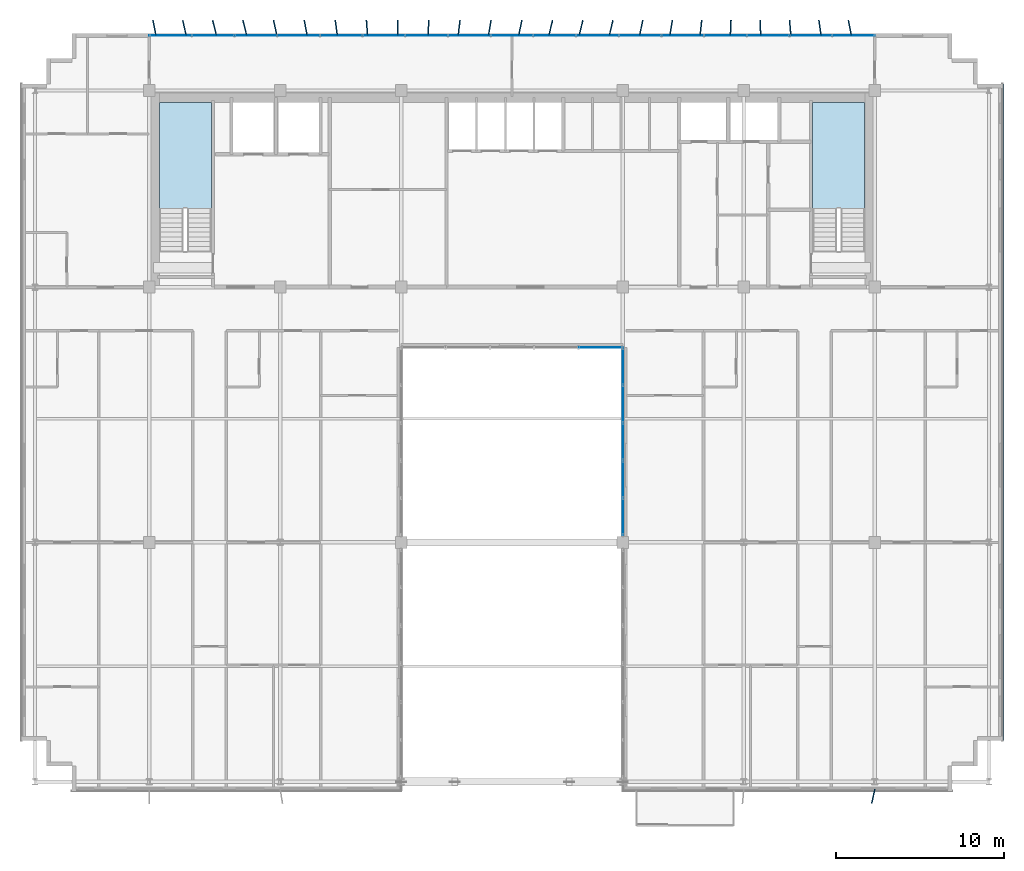
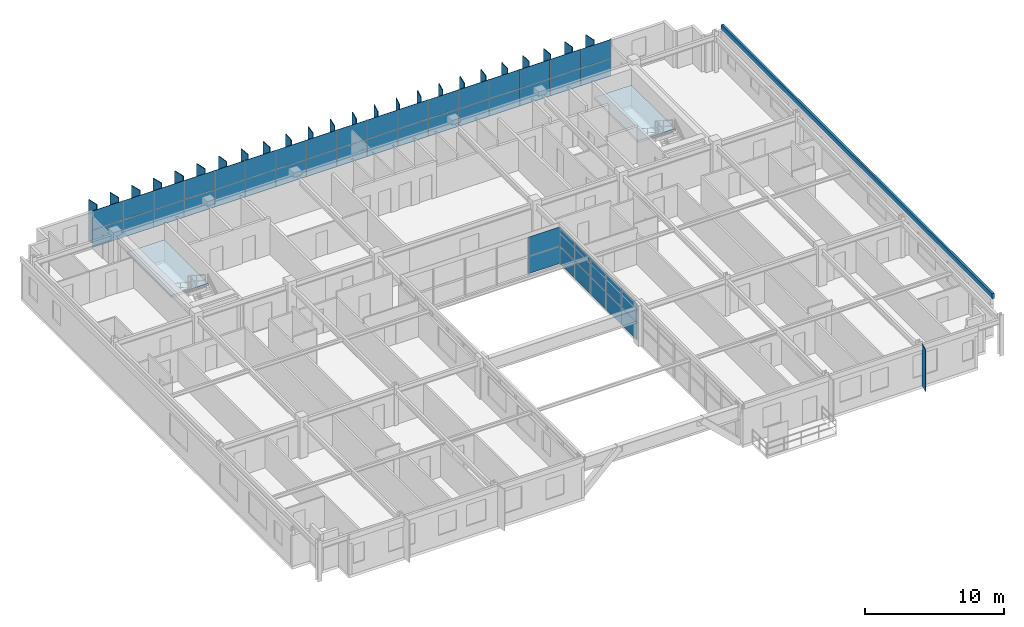
# One storey, part 29 of 37: 72 plates, 2 slabs, 5 elements without a shape of their own.
"""IFC4 building model written with IfcOpenShell, lengths in metres."""

from ifc_helpers import new_model, si_unit, direction, frame, origin, origin_2d, place, context, subcontext, project, spatial, polyline, rectangle, outline, extrude, source, transform, mapped, material, layer, layer_set, type_object, element, aggregate, save


model = new_model("IFC4")

# Units and contexts
model_context = context("Model", 3, precision=1e-05, world=origin(), true_north=direction((0.0, 1.0)))
body_context = subcontext(model_context, "Body", "Model", "MODEL_VIEW")
ifc_project = project(units=[si_unit("LENGTHUNIT", "METRE"), si_unit("AREAUNIT", "SQUARE_METRE"), si_unit("VOLUMEUNIT", "CUBIC_METRE"), si_unit("PLANEANGLEUNIT", "RADIAN"), si_unit("MASSUNIT", "GRAM", prefix="KILO")], contexts=[model_context])

# Site, building, storey
site_placement = place(None, origin())
site = spatial("IfcSite", under=ifc_project, at=site_placement, CompositionType="ELEMENT")
building_placement = place(site_placement, origin())
building = spatial("IfcBuilding", under=site, at=building_placement, Name="Trelvane Seafront Commons", CompositionType="ELEMENT")
storey_placement = place(building_placement, frame((0.0, 0.0, 201.300048828125)))
storey = spatial("IfcBuildingStorey", under=building, at=storey_placement, Name="L52", CompositionType="ELEMENT", Elevation=201.300048828125)

# Stair, slab
ifc_material_1 = material(Name="Concrete C40/50", Category="concrete")
stair_type_1 = type_object("IfcStairType", Name="ARCH-STR-ST-1-R20-180", PredefinedType="HALF_TURN_STAIR", material=ifc_material_1)
stair_1_placement = place(storey_placement, origin())
stair_1 = element("IfcStair", 1, at=stair_1_placement, inside=storey, type_object=stair_type_1, Name="L52 West Protected Firefighting Exit Stair ST-1", PredefinedType="HALF_TURN_STAIR")
ifc_layer_1 = layer(ifc_material_1, 0.199951171875, Name="ARCH-LND-200")
ifc_layer_set_1 = layer_set([ifc_layer_1], Name="Concrete C40/50")
slab_type = type_object("IfcSlabType", Name="ARCH-LND-200", PredefinedType="LANDING", material=ifc_layer_set_1)
slab_1_placement = place(storey_placement, frame((0.0, 0.0, 1.599853515625)))
slab_1 = element("IfcSlab", 2, at=slab_1_placement, type_object=slab_type, Name="ST-1 landing 1", PredefinedType="LANDING", context=body_context, shape_type="SweptSolid", body=[
    extrude(outline(polyline([(19.300048828125, 38.070068359375), (19.300048828125, 44.39990234375), (16.199951171875, 44.39990234375), (16.199951171875, 38.070068359375), (19.300048828125, 38.070068359375)])), origin(), (0.0, 0.0, 1.0), 0.2001953125),
])
aggregate(stair_1, [slab_1])

stair_type_2 = type_object("IfcStairType", Name="ARCH-STR-ST-2-R20-180", PredefinedType="HALF_TURN_STAIR", material=ifc_material_1)
stair_2_placement = place(storey_placement, origin())
stair_2 = element("IfcStair", 3, at=stair_2_placement, inside=storey, type_object=stair_type_2, Name="L52 East Protected Firefighting Exit Stair ST-2", PredefinedType="HALF_TURN_STAIR")
slab_2_placement = place(storey_placement, frame((0.0, 0.0, 1.599853515625)))
slab_2 = element("IfcSlab", 4, at=slab_2_placement, type_object=slab_type, Name="ST-2 landing 1", PredefinedType="LANDING", context=body_context, shape_type="SweptSolid", body=[
    extrude(outline(polyline([(58.199951171875, 38.070068359375), (58.199951171875, 44.39990234375), (55.10009765625, 44.39990234375), (55.10009765625, 38.070068359375), (58.199951171875, 38.070068359375)])), origin(), (0.0, 0.0, 1.0), 0.2001953125),
])
aggregate(stair_2, [slab_2])

# Plates
ifc_material_2 = material(Name="Anodised pale-silver aluminium", Category="aluminium")
ifc_layer_2 = layer(ifc_material_2, 0.06005859375, Name="ARCH-PLATE-FIN900")
ifc_layer_set_2 = layer_set([ifc_layer_2], Name="Anodised pale-silver aluminium")
plate_type_1 = type_object("IfcPlateType", Name="ARCH-PLATE-FIN900", PredefinedType="USERDEFINED", material=ifc_layer_set_2)
shared_shape_1 = source(origin(), body_context, "Body", "SweptSolid", [
    extrude(rectangle(XDim=0.89990234375, YDim=0.06005859375, at=origin_2d()), origin(), (0.0, 0.0, 1.0), 3.639892578125),
])
for number, where, z_axis, x_axis, name in (
    (5, (15.913330078125, 48.841552734375, -0.02001953125), (0.0, 0.0, 1.0), (-0.192439757268, 0.981308789231, 0.0), "FIN-L52-01421"),
    (6, (17.698974609375, 48.83837890625, -0.02001953125), (0.0, 0.0, 1.0), (-0.224770787258, 0.974411665158, 0.0), "FIN-L52-01422"),
    (7, (19.49169921875, 48.8369140625, -0.02001953125), (0.0, 0.0, 1.0), (-0.240548236957, 0.970637185408, 0.0), "FIN-L52-01423"),
    (8, (21.29248046875, 48.8369140625, -0.02001953125), (0.0, 0.0, 1.0), (-0.238769048477, 0.971076382933, 0.0), "FIN-L52-01424"),
    (9, (23.101318359375, 48.839111328125, -0.02001953125), (0.0, 0.0, 1.0), (-0.21956526146, 0.975597814655, 0.0), "FIN-L52-01425"),
    (10, (24.9169921875, 48.84228515625, -0.02001953125), (0.0, 0.0, 1.0), (-0.184220684397, 0.982884906508, 0.0), "FIN-L52-01426"),
    (11, (26.7392578125, 48.845947265625, -0.02001953125), (0.0, 0.0, 1.0), (-0.134994467999, 0.990846352171, 0.0), "FIN-L52-01427"),
    (12, (28.566162109375, 48.8486328125, -0.02001953125), (0.0, 0.0, 1.0), (-0.075446890553, 0.997149821594, 0.0), "FIN-L52-01428"),
    (13, (30.3955078125, 48.85009765625, -0.02001953125), (0.0, 0.0, 1.0), (-0.009998824669, 0.999950010503, 0.0), "FIN-L52-01429"),
    (14, (32.225341796875, 48.849365234375, -0.02001953125), (0.0, 0.0, 1.0), (0.056220557727, 0.998418373674, 0.0), "FIN-L52-01430"),
    (15, (34.052978515625, 48.846923828125, -0.02001953125), (0.0, 0.0, 1.0), (0.118001890605, 0.99301337041, 0.0), "FIN-L52-01431"),
    (16, (35.876708984375, 48.843505859375, -0.02001953125), (0.0, 0.0, 1.0), (0.170773585728, 0.985310297529, 0.0), "FIN-L52-01432"),
    (17, (37.694580078125, 48.83984375, -0.02001953125), (0.0, 0.0, 1.0), (0.21056048311, 0.977580831928, 0.0), "FIN-L52-01433"),
    (18, (39.505615234375, 48.83740234375, -0.02001953125), (0.0, 0.0, 1.0), (0.234789248087, 0.972046299814, 0.0), "FIN-L52-01434"),
    (19, (41.308837890625, 48.836669921875, -0.02001953125), (0.0, 0.0, 1.0), (0.241777946669, 0.970331605434, 0.0), "FIN-L52-01435"),
    (20, (43.10400390625, 48.837890625, -0.02001953125), (0.0, 0.0, 1.0), (0.231330219854, 0.972875289738, 0.0), "FIN-L52-01436"),
    (21, (44.8916015625, 48.840576171875, -0.02001953125), (0.0, 0.0, 1.0), (0.203781867104, 0.979016317862, 0.0), "FIN-L52-01437"),
    (22, (46.672607421875, 48.843994140625, -0.02001953125), (0.0, 0.0, 1.0), (0.161118088091, 0.986935135503, 0.0), "FIN-L52-01438"),
    (23, (48.44775390625, 48.847412109375, -0.02001953125), (0.0, 0.0, 1.0), (0.106222420513, 0.99434239444, 0.0), "FIN-L52-01439"),
    (24, (50.219482421875, 48.849609375, -0.02001953125), (0.0, 0.0, 1.0), (0.043108486935, 0.999070397096, 0.0), "FIN-L52-01440"),
    (25, (51.989501953125, 48.849853515625, -0.02001953125), (0.0, 0.0, 1.0), (-0.023332934405, 0.999727750026, 0.0), "FIN-L52-01441"),
    (26, (53.760498046875, 48.848388671875, -0.02001953125), (0.0, 0.0, 1.0), (-0.088000713537, 0.996120411605, 0.0), "FIN-L52-01442"),
    (27, (55.534423828125, 48.84521484375, -0.02001953125), (0.0, 0.0, 1.0), (-0.14577568566, 0.989317668633, 0.0), "FIN-L52-01443"),
    (28, (57.3134765625, 48.841552734375, -0.02001953125), (0.0, 0.0, 1.0), (-0.192439757268, 0.981308789231, 0.0), "FIN-L52-01444"),
):
    element("IfcPlate", number, at=place(storey_placement, frame(where, z_axis=z_axis, x_axis=x_axis)), inside=storey, type_object=plate_type_1, Name=name, ObjectType="FIN", PredefinedType="USERDEFINED", context=body_context, shape_type="MappedRepresentation", body=[
        mapped(shared_shape_1, transform((0.0, 0.0, 0.0), x_axis=(1.0, 0.0, 0.0), y_axis=(0.0, 1.0, 0.0), z_axis=(0.0, 0.0, 1.0), scale=1.0)),
    ])
shared_shape_2 = source(origin(), body_context, "Body", "SweptSolid", [
    extrude(rectangle(XDim=0.85009765625, YDim=0.06005859375, at=origin_2d()), origin(), (0.0, 0.0, 1.0), 3.639892578125),
])
plate_1_placement = place(storey_placement, frame((58.7080078125, 3.0849609375, -0.02001953125), z_axis=(0.0, 0.0, 1.0), x_axis=(-0.216344191258, -0.976317156927, 0.0)))
element("IfcPlate", 29, at=plate_1_placement, inside=storey, type_object=plate_type_1, Name="FIN-S-L52-01448", ObjectType="FIN", PredefinedType="USERDEFINED", context=body_context, shape_type="MappedRepresentation", body=[
    mapped(shared_shape_2, transform((0.0, 0.0, 0.0), x_axis=(1.0, 0.0, 0.0), y_axis=(0.0, 1.0, 0.0), z_axis=(0.0, 0.0, 1.0), scale=1.0)),
])

# Curtain wall, plates
curtain_wall_type_1 = type_object("IfcCurtainWallType", Name="ARCH-CW5-UPTOWER", PredefinedType="NOTDEFINED", material=ifc_material_2)
curtain_wall_1_placement = place(storey_placement, origin())
curtain_wall_1 = element("IfcCurtainWall", 30, at=curtain_wall_1_placement, inside=storey, type_object=curtain_wall_type_1, Name="CW-L52-0090", PredefinedType="NOTDEFINED")
ifc_material_3 = material(Name="Low-E coastal double glazing", Category="glass")
ifc_layer_3 = layer(ifc_material_3, 0.033935546875, Name="ARCH-CW-GLAZ-34")
ifc_layer_set_3 = layer_set([ifc_layer_3], Name="Low-E coastal double glazing")
plate_type_2 = type_object("IfcPlateType", Name="ARCH-CW-GLAZ-34", PredefinedType="CURTAIN_PANEL", material=ifc_layer_set_3)
shared_shape_3 = source(origin(), body_context, "Body", "SweptSolid", [
    extrude(rectangle(XDim=2.51708984375, YDim=0.033935546875, at=origin_2d()), origin(), (0.0, 0.0, 1.0), 1.528076171875),
])
plate_2_placement = place(storey_placement, frame((16.87060546875, 48.3701171875, 0.0), z_axis=(0.0, 0.0, 1.0), x_axis=(1.0, 0.0, 0.0)))
plate_2 = element("IfcPlate", 31, at=plate_2_placement, type_object=plate_type_2, Name="CW-L52-0090-P00-1", PredefinedType="CURTAIN_PANEL", context=body_context, shape_type="MappedRepresentation", body=[
    mapped(shared_shape_3, transform((0.0, 0.0, 0.0), x_axis=(1.0, 0.0, 0.0), y_axis=(0.0, 1.0, 0.0), z_axis=(0.0, 0.0, 1.0), scale=1.0)),
])
plate_3_placement = place(storey_placement, frame((19.411865234375, 48.3701171875, 0.0), z_axis=(0.0, 0.0, 1.0), x_axis=(1.0, 0.0, 0.0)))
plate_3 = element("IfcPlate", 32, at=plate_3_placement, type_object=plate_type_2, Name="CW-L52-0090-P01-1", PredefinedType="CURTAIN_PANEL", context=body_context, shape_type="MappedRepresentation", body=[
    mapped(shared_shape_3, transform((0.0, 0.0, 0.0), x_axis=(1.0, 0.0, 0.0), y_axis=(0.0, 1.0, 0.0), z_axis=(0.0, 0.0, 1.0), scale=1.0)),
])
plate_4_placement = place(storey_placement, frame((21.952880859375, 48.3701171875, 0.0), z_axis=(0.0, 0.0, 1.0), x_axis=(1.0, 0.0, 0.0)))
plate_4 = element("IfcPlate", 33, at=plate_4_placement, type_object=plate_type_2, Name="CW-L52-0090-P02-1", PredefinedType="CURTAIN_PANEL", context=body_context, shape_type="MappedRepresentation", body=[
    mapped(shared_shape_3, transform((0.0, 0.0, 0.0), x_axis=(1.0, 0.0, 0.0), y_axis=(0.0, 1.0, 0.0), z_axis=(0.0, 0.0, 1.0), scale=1.0)),
])
plate_5_placement = place(storey_placement, frame((24.494140625, 48.3701171875, 0.0), z_axis=(0.0, 0.0, 1.0), x_axis=(1.0, 0.0, 0.0)))
plate_5 = element("IfcPlate", 34, at=plate_5_placement, type_object=plate_type_2, Name="CW-L52-0090-P03-1", PredefinedType="CURTAIN_PANEL", context=body_context, shape_type="MappedRepresentation", body=[
    mapped(shared_shape_3, transform((0.0, 0.0, 0.0), x_axis=(1.0, 0.0, 0.0), y_axis=(0.0, 1.0, 0.0), z_axis=(0.0, 0.0, 1.0), scale=1.0)),
])
plate_6_placement = place(storey_placement, frame((27.035400390625, 48.3701171875, 0.0), z_axis=(0.0, 0.0, 1.0), x_axis=(1.0, 0.0, 0.0)))
plate_6 = element("IfcPlate", 35, at=plate_6_placement, type_object=plate_type_2, Name="CW-L52-0090-P04-1", PredefinedType="CURTAIN_PANEL", context=body_context, shape_type="MappedRepresentation", body=[
    mapped(shared_shape_3, transform((0.0, 0.0, 0.0), x_axis=(1.0, 0.0, 0.0), y_axis=(0.0, 1.0, 0.0), z_axis=(0.0, 0.0, 1.0), scale=1.0)),
])
plate_7_placement = place(storey_placement, frame((29.576416015625, 48.3701171875, 0.0), z_axis=(0.0, 0.0, 1.0), x_axis=(1.0, 0.0, 0.0)))
plate_7 = element("IfcPlate", 36, at=plate_7_placement, type_object=plate_type_2, Name="CW-L52-0090-P05-1", PredefinedType="CURTAIN_PANEL", context=body_context, shape_type="MappedRepresentation", body=[
    mapped(shared_shape_3, transform((0.0, 0.0, 0.0), x_axis=(1.0, 0.0, 0.0), y_axis=(0.0, 1.0, 0.0), z_axis=(0.0, 0.0, 1.0), scale=1.0)),
])
plate_8_placement = place(storey_placement, frame((32.11767578125, 48.3701171875, 0.0), z_axis=(0.0, 0.0, 1.0), x_axis=(1.0, 0.0, 0.0)))
plate_8 = element("IfcPlate", 37, at=plate_8_placement, type_object=plate_type_2, Name="CW-L52-0090-P06-1", PredefinedType="CURTAIN_PANEL", context=body_context, shape_type="MappedRepresentation", body=[
    mapped(shared_shape_3, transform((0.0, 0.0, 0.0), x_axis=(1.0, 0.0, 0.0), y_axis=(0.0, 1.0, 0.0), z_axis=(0.0, 0.0, 1.0), scale=1.0)),
])
plate_9_placement = place(storey_placement, frame((34.65869140625, 48.3701171875, 0.0), z_axis=(0.0, 0.0, 1.0), x_axis=(1.0, 0.0, 0.0)))
plate_9 = element("IfcPlate", 38, at=plate_9_placement, type_object=plate_type_2, Name="CW-L52-0090-P07-1", PredefinedType="CURTAIN_PANEL", context=body_context, shape_type="MappedRepresentation", body=[
    mapped(shared_shape_3, transform((0.0, 0.0, 0.0), x_axis=(1.0, 0.0, 0.0), y_axis=(0.0, 1.0, 0.0), z_axis=(0.0, 0.0, 1.0), scale=1.0)),
])
plate_10_placement = place(storey_placement, frame((37.199951171875, 48.3701171875, 0.0), z_axis=(0.0, 0.0, 1.0), x_axis=(1.0, 0.0, 0.0)))
plate_10 = element("IfcPlate", 39, at=plate_10_placement, type_object=plate_type_2, Name="CW-L52-0090-P08-1", PredefinedType="CURTAIN_PANEL", context=body_context, shape_type="MappedRepresentation", body=[
    mapped(shared_shape_3, transform((0.0, 0.0, 0.0), x_axis=(1.0, 0.0, 0.0), y_axis=(0.0, 1.0, 0.0), z_axis=(0.0, 0.0, 1.0), scale=1.0)),
])
plate_11_placement = place(storey_placement, frame((39.7412109375, 48.3701171875, 0.0), z_axis=(0.0, 0.0, 1.0), x_axis=(1.0, 0.0, 0.0)))
plate_11 = element("IfcPlate", 40, at=plate_11_placement, type_object=plate_type_2, Name="CW-L52-0090-P09-1", PredefinedType="CURTAIN_PANEL", context=body_context, shape_type="MappedRepresentation", body=[
    mapped(shared_shape_3, transform((0.0, 0.0, 0.0), x_axis=(1.0, 0.0, 0.0), y_axis=(0.0, 1.0, 0.0), z_axis=(0.0, 0.0, 1.0), scale=1.0)),
])
plate_12_placement = place(storey_placement, frame((42.282470703125, 48.3701171875, 0.0), z_axis=(0.0, 0.0, 1.0), x_axis=(1.0, 0.0, 0.0)))
plate_12 = element("IfcPlate", 41, at=plate_12_placement, type_object=plate_type_2, Name="CW-L52-0090-P10-1", PredefinedType="CURTAIN_PANEL", context=body_context, shape_type="MappedRepresentation", body=[
    mapped(shared_shape_3, transform((0.0, 0.0, 0.0), x_axis=(1.0, 0.0, 0.0), y_axis=(0.0, 1.0, 0.0), z_axis=(0.0, 0.0, 1.0), scale=1.0)),
])
plate_13_placement = place(storey_placement, frame((44.823486328125, 48.3701171875, 0.0), z_axis=(0.0, 0.0, 1.0), x_axis=(1.0, 0.0, 0.0)))
plate_13 = element("IfcPlate", 42, at=plate_13_placement, type_object=plate_type_2, Name="CW-L52-0090-P11-1", PredefinedType="CURTAIN_PANEL", context=body_context, shape_type="MappedRepresentation", body=[
    mapped(shared_shape_3, transform((0.0, 0.0, 0.0), x_axis=(1.0, 0.0, 0.0), y_axis=(0.0, 1.0, 0.0), z_axis=(0.0, 0.0, 1.0), scale=1.0)),
])
plate_14_placement = place(storey_placement, frame((47.36474609375, 48.3701171875, 0.0), z_axis=(0.0, 0.0, 1.0), x_axis=(1.0, 0.0, 0.0)))
plate_14 = element("IfcPlate", 43, at=plate_14_placement, type_object=plate_type_2, Name="CW-L52-0090-P12-1", PredefinedType="CURTAIN_PANEL", context=body_context, shape_type="MappedRepresentation", body=[
    mapped(shared_shape_3, transform((0.0, 0.0, 0.0), x_axis=(1.0, 0.0, 0.0), y_axis=(0.0, 1.0, 0.0), z_axis=(0.0, 0.0, 1.0), scale=1.0)),
])
plate_15_placement = place(storey_placement, frame((49.906005859375, 48.3701171875, 0.0), z_axis=(0.0, 0.0, 1.0), x_axis=(1.0, 0.0, 0.0)))
plate_15 = element("IfcPlate", 44, at=plate_15_placement, type_object=plate_type_2, Name="CW-L52-0090-P13-1", PredefinedType="CURTAIN_PANEL", context=body_context, shape_type="MappedRepresentation", body=[
    mapped(shared_shape_3, transform((0.0, 0.0, 0.0), x_axis=(1.0, 0.0, 0.0), y_axis=(0.0, 1.0, 0.0), z_axis=(0.0, 0.0, 1.0), scale=1.0)),
])
plate_16_placement = place(storey_placement, frame((52.447021484375, 48.3701171875, 0.0), z_axis=(0.0, 0.0, 1.0), x_axis=(1.0, 0.0, 0.0)))
plate_16 = element("IfcPlate", 45, at=plate_16_placement, type_object=plate_type_2, Name="CW-L52-0090-P14-1", PredefinedType="CURTAIN_PANEL", context=body_context, shape_type="MappedRepresentation", body=[
    mapped(shared_shape_3, transform((0.0, 0.0, 0.0), x_axis=(1.0, 0.0, 0.0), y_axis=(0.0, 1.0, 0.0), z_axis=(0.0, 0.0, 1.0), scale=1.0)),
])
plate_17_placement = place(storey_placement, frame((54.98828125, 48.3701171875, 0.0), z_axis=(0.0, 0.0, 1.0), x_axis=(1.0, 0.0, 0.0)))
plate_17 = element("IfcPlate", 46, at=plate_17_placement, type_object=plate_type_2, Name="CW-L52-0090-P15-1", PredefinedType="CURTAIN_PANEL", context=body_context, shape_type="MappedRepresentation", body=[
    mapped(shared_shape_3, transform((0.0, 0.0, 0.0), x_axis=(1.0, 0.0, 0.0), y_axis=(0.0, 1.0, 0.0), z_axis=(0.0, 0.0, 1.0), scale=1.0)),
])
plate_18_placement = place(storey_placement, frame((57.529296875, 48.3701171875, 0.0), z_axis=(0.0, 0.0, 1.0), x_axis=(1.0, 0.0, 0.0)))
plate_18 = element("IfcPlate", 47, at=plate_18_placement, type_object=plate_type_2, Name="CW-L52-0090-P16-1", PredefinedType="CURTAIN_PANEL", context=body_context, shape_type="MappedRepresentation", body=[
    mapped(shared_shape_3, transform((0.0, 0.0, 0.0), x_axis=(1.0, 0.0, 0.0), y_axis=(0.0, 1.0, 0.0), z_axis=(0.0, 0.0, 1.0), scale=1.0)),
])
shared_shape_4 = source(origin(), body_context, "Body", "SweptSolid", [
    extrude(rectangle(XDim=2.51708984375, YDim=0.033935546875, at=origin_2d()), origin(), (0.0, 0.0, 1.0), 1.656005859375),
])
plate_19_placement = place(storey_placement, frame((16.87060546875, 48.3701171875, 1.56396484375), z_axis=(0.0, 0.0, 1.0), x_axis=(1.0, 0.0, 0.0)))
plate_19 = element("IfcPlate", 48, at=plate_19_placement, type_object=plate_type_2, Name="CW-L52-0090-P00-2", PredefinedType="CURTAIN_PANEL", context=body_context, shape_type="MappedRepresentation", body=[
    mapped(shared_shape_4, transform((0.0, 0.0, 0.0), x_axis=(1.0, 0.0, 0.0), y_axis=(0.0, 1.0, 0.0), z_axis=(0.0, 0.0, 1.0), scale=1.0)),
])
plate_20_placement = place(storey_placement, frame((19.411865234375, 48.3701171875, 1.56396484375), z_axis=(0.0, 0.0, 1.0), x_axis=(1.0, 0.0, 0.0)))
plate_20 = element("IfcPlate", 49, at=plate_20_placement, type_object=plate_type_2, Name="CW-L52-0090-P01-2", PredefinedType="CURTAIN_PANEL", context=body_context, shape_type="MappedRepresentation", body=[
    mapped(shared_shape_4, transform((0.0, 0.0, 0.0), x_axis=(1.0, 0.0, 0.0), y_axis=(0.0, 1.0, 0.0), z_axis=(0.0, 0.0, 1.0), scale=1.0)),
])
plate_21_placement = place(storey_placement, frame((21.952880859375, 48.3701171875, 1.56396484375), z_axis=(0.0, 0.0, 1.0), x_axis=(1.0, 0.0, 0.0)))
plate_21 = element("IfcPlate", 50, at=plate_21_placement, type_object=plate_type_2, Name="CW-L52-0090-P02-2", PredefinedType="CURTAIN_PANEL", context=body_context, shape_type="MappedRepresentation", body=[
    mapped(shared_shape_4, transform((0.0, 0.0, 0.0), x_axis=(1.0, 0.0, 0.0), y_axis=(0.0, 1.0, 0.0), z_axis=(0.0, 0.0, 1.0), scale=1.0)),
])
plate_22_placement = place(storey_placement, frame((24.494140625, 48.3701171875, 1.56396484375), z_axis=(0.0, 0.0, 1.0), x_axis=(1.0, 0.0, 0.0)))
plate_22 = element("IfcPlate", 51, at=plate_22_placement, type_object=plate_type_2, Name="CW-L52-0090-P03-2", PredefinedType="CURTAIN_PANEL", context=body_context, shape_type="MappedRepresentation", body=[
    mapped(shared_shape_4, transform((0.0, 0.0, 0.0), x_axis=(1.0, 0.0, 0.0), y_axis=(0.0, 1.0, 0.0), z_axis=(0.0, 0.0, 1.0), scale=1.0)),
])
plate_23_placement = place(storey_placement, frame((27.035400390625, 48.3701171875, 1.56396484375), z_axis=(0.0, 0.0, 1.0), x_axis=(1.0, 0.0, 0.0)))
plate_23 = element("IfcPlate", 52, at=plate_23_placement, type_object=plate_type_2, Name="CW-L52-0090-P04-2", PredefinedType="CURTAIN_PANEL", context=body_context, shape_type="MappedRepresentation", body=[
    mapped(shared_shape_4, transform((0.0, 0.0, 0.0), x_axis=(1.0, 0.0, 0.0), y_axis=(0.0, 1.0, 0.0), z_axis=(0.0, 0.0, 1.0), scale=1.0)),
])
plate_24_placement = place(storey_placement, frame((29.576416015625, 48.3701171875, 1.56396484375), z_axis=(0.0, 0.0, 1.0), x_axis=(1.0, 0.0, 0.0)))
plate_24 = element("IfcPlate", 53, at=plate_24_placement, type_object=plate_type_2, Name="CW-L52-0090-P05-2", PredefinedType="CURTAIN_PANEL", context=body_context, shape_type="MappedRepresentation", body=[
    mapped(shared_shape_4, transform((0.0, 0.0, 0.0), x_axis=(1.0, 0.0, 0.0), y_axis=(0.0, 1.0, 0.0), z_axis=(0.0, 0.0, 1.0), scale=1.0)),
])
plate_25_placement = place(storey_placement, frame((32.11767578125, 48.3701171875, 1.56396484375), z_axis=(0.0, 0.0, 1.0), x_axis=(1.0, 0.0, 0.0)))
plate_25 = element("IfcPlate", 54, at=plate_25_placement, type_object=plate_type_2, Name="CW-L52-0090-P06-2", PredefinedType="CURTAIN_PANEL", context=body_context, shape_type="MappedRepresentation", body=[
    mapped(shared_shape_4, transform((0.0, 0.0, 0.0), x_axis=(1.0, 0.0, 0.0), y_axis=(0.0, 1.0, 0.0), z_axis=(0.0, 0.0, 1.0), scale=1.0)),
])
plate_26_placement = place(storey_placement, frame((34.65869140625, 48.3701171875, 1.56396484375), z_axis=(0.0, 0.0, 1.0), x_axis=(1.0, 0.0, 0.0)))
plate_26 = element("IfcPlate", 55, at=plate_26_placement, type_object=plate_type_2, Name="CW-L52-0090-P07-2", PredefinedType="CURTAIN_PANEL", context=body_context, shape_type="MappedRepresentation", body=[
    mapped(shared_shape_4, transform((0.0, 0.0, 0.0), x_axis=(1.0, 0.0, 0.0), y_axis=(0.0, 1.0, 0.0), z_axis=(0.0, 0.0, 1.0), scale=1.0)),
])
plate_27_placement = place(storey_placement, frame((37.199951171875, 48.3701171875, 1.56396484375), z_axis=(0.0, 0.0, 1.0), x_axis=(1.0, 0.0, 0.0)))
plate_27 = element("IfcPlate", 56, at=plate_27_placement, type_object=plate_type_2, Name="CW-L52-0090-P08-2", PredefinedType="CURTAIN_PANEL", context=body_context, shape_type="MappedRepresentation", body=[
    mapped(shared_shape_4, transform((0.0, 0.0, 0.0), x_axis=(1.0, 0.0, 0.0), y_axis=(0.0, 1.0, 0.0), z_axis=(0.0, 0.0, 1.0), scale=1.0)),
])
plate_28_placement = place(storey_placement, frame((39.7412109375, 48.3701171875, 1.56396484375), z_axis=(0.0, 0.0, 1.0), x_axis=(1.0, 0.0, 0.0)))
plate_28 = element("IfcPlate", 57, at=plate_28_placement, type_object=plate_type_2, Name="CW-L52-0090-P09-2", PredefinedType="CURTAIN_PANEL", context=body_context, shape_type="MappedRepresentation", body=[
    mapped(shared_shape_4, transform((0.0, 0.0, 0.0), x_axis=(1.0, 0.0, 0.0), y_axis=(0.0, 1.0, 0.0), z_axis=(0.0, 0.0, 1.0), scale=1.0)),
])
plate_29_placement = place(storey_placement, frame((42.282470703125, 48.3701171875, 1.56396484375), z_axis=(0.0, 0.0, 1.0), x_axis=(1.0, 0.0, 0.0)))
plate_29 = element("IfcPlate", 58, at=plate_29_placement, type_object=plate_type_2, Name="CW-L52-0090-P10-2", PredefinedType="CURTAIN_PANEL", context=body_context, shape_type="MappedRepresentation", body=[
    mapped(shared_shape_4, transform((0.0, 0.0, 0.0), x_axis=(1.0, 0.0, 0.0), y_axis=(0.0, 1.0, 0.0), z_axis=(0.0, 0.0, 1.0), scale=1.0)),
])
plate_30_placement = place(storey_placement, frame((44.823486328125, 48.3701171875, 1.56396484375), z_axis=(0.0, 0.0, 1.0), x_axis=(1.0, 0.0, 0.0)))
plate_30 = element("IfcPlate", 59, at=plate_30_placement, type_object=plate_type_2, Name="CW-L52-0090-P11-2", PredefinedType="CURTAIN_PANEL", context=body_context, shape_type="MappedRepresentation", body=[
    mapped(shared_shape_4, transform((0.0, 0.0, 0.0), x_axis=(1.0, 0.0, 0.0), y_axis=(0.0, 1.0, 0.0), z_axis=(0.0, 0.0, 1.0), scale=1.0)),
])
plate_31_placement = place(storey_placement, frame((47.36474609375, 48.3701171875, 1.56396484375), z_axis=(0.0, 0.0, 1.0), x_axis=(1.0, 0.0, 0.0)))
plate_31 = element("IfcPlate", 60, at=plate_31_placement, type_object=plate_type_2, Name="CW-L52-0090-P12-2", PredefinedType="CURTAIN_PANEL", context=body_context, shape_type="MappedRepresentation", body=[
    mapped(shared_shape_4, transform((0.0, 0.0, 0.0), x_axis=(1.0, 0.0, 0.0), y_axis=(0.0, 1.0, 0.0), z_axis=(0.0, 0.0, 1.0), scale=1.0)),
])
plate_32_placement = place(storey_placement, frame((49.906005859375, 48.3701171875, 1.56396484375), z_axis=(0.0, 0.0, 1.0), x_axis=(1.0, 0.0, 0.0)))
plate_32 = element("IfcPlate", 61, at=plate_32_placement, type_object=plate_type_2, Name="CW-L52-0090-P13-2", PredefinedType="CURTAIN_PANEL", context=body_context, shape_type="MappedRepresentation", body=[
    mapped(shared_shape_4, transform((0.0, 0.0, 0.0), x_axis=(1.0, 0.0, 0.0), y_axis=(0.0, 1.0, 0.0), z_axis=(0.0, 0.0, 1.0), scale=1.0)),
])
plate_33_placement = place(storey_placement, frame((52.447021484375, 48.3701171875, 1.56396484375), z_axis=(0.0, 0.0, 1.0), x_axis=(1.0, 0.0, 0.0)))
plate_33 = element("IfcPlate", 62, at=plate_33_placement, type_object=plate_type_2, Name="CW-L52-0090-P14-2", PredefinedType="CURTAIN_PANEL", context=body_context, shape_type="MappedRepresentation", body=[
    mapped(shared_shape_4, transform((0.0, 0.0, 0.0), x_axis=(1.0, 0.0, 0.0), y_axis=(0.0, 1.0, 0.0), z_axis=(0.0, 0.0, 1.0), scale=1.0)),
])
plate_34_placement = place(storey_placement, frame((54.98828125, 48.3701171875, 1.56396484375), z_axis=(0.0, 0.0, 1.0), x_axis=(1.0, 0.0, 0.0)))
plate_34 = element("IfcPlate", 63, at=plate_34_placement, type_object=plate_type_2, Name="CW-L52-0090-P15-2", PredefinedType="CURTAIN_PANEL", context=body_context, shape_type="MappedRepresentation", body=[
    mapped(shared_shape_4, transform((0.0, 0.0, 0.0), x_axis=(1.0, 0.0, 0.0), y_axis=(0.0, 1.0, 0.0), z_axis=(0.0, 0.0, 1.0), scale=1.0)),
])
plate_35_placement = place(storey_placement, frame((57.529296875, 48.3701171875, 1.56396484375), z_axis=(0.0, 0.0, 1.0), x_axis=(1.0, 0.0, 0.0)))
plate_35 = element("IfcPlate", 64, at=plate_35_placement, type_object=plate_type_2, Name="CW-L52-0090-P16-2", PredefinedType="CURTAIN_PANEL", context=body_context, shape_type="MappedRepresentation", body=[
    mapped(shared_shape_4, transform((0.0, 0.0, 0.0), x_axis=(1.0, 0.0, 0.0), y_axis=(0.0, 1.0, 0.0), z_axis=(0.0, 0.0, 1.0), scale=1.0)),
])
aggregate(curtain_wall_1, [plate_2, plate_19, plate_3, plate_20, plate_4, plate_21, plate_5, plate_22, plate_6, plate_23, plate_7, plate_24, plate_8, plate_25, plate_9, plate_26, plate_10, plate_27, plate_11, plate_28, plate_12, plate_29, plate_13, plate_30, plate_14, plate_31, plate_15, plate_32, plate_16, plate_33, plate_17, plate_34, plate_18, plate_35])

# Plate
ifc_layer_4 = layer(ifc_material_2, 0.179931640625, Name="ARCH-PLATE-AERO")
ifc_layer_set_4 = layer_set([ifc_layer_4], Name="Anodised pale-silver aluminium")
plate_type_3 = type_object("IfcPlateType", Name="ARCH-PLATE-AERO", PredefinedType="SHEET", material=ifc_layer_set_4)
shared_shape_5 = source(origin(), body_context, "Body", "SweptSolid", [
    extrude(rectangle(XDim=39.10009765625, YDim=0.179931640625, at=origin_2d()), origin(), (0.0, 0.0, 1.0), 0.4599609375),
])
plate_36_placement = place(storey_placement, frame((66.39990234375, 25.949951171875, 3.159912109375), z_axis=(0.0, 0.0, 1.0), x_axis=(0.0, -1.0, 0.0)))
element("IfcPlate", 65, at=plate_36_placement, inside=storey, type_object=plate_type_3, Name="AER-L52-00182", PredefinedType="SHEET", context=body_context, shape_type="MappedRepresentation", body=[
    mapped(shared_shape_5, transform((0.0, 0.0, 0.0), x_axis=(1.0, 0.0, 0.0), y_axis=(0.0, 1.0, 0.0), z_axis=(0.0, 0.0, 1.0), scale=1.0)),
])

# Curtain wall, plates
curtain_wall_type_2 = type_object("IfcCurtainWallType", Name="ARCH-CW3-PORTAL", PredefinedType="NOTDEFINED", material=ifc_material_2)
curtain_wall_2_placement = place(storey_placement, origin())
curtain_wall_2 = element("IfcCurtainWall", 66, at=curtain_wall_2_placement, inside=storey, type_object=curtain_wall_type_2, Name="CW-L52-VP-0094", PredefinedType="NOTDEFINED")
shared_shape_6 = source(origin(), body_context, "Body", "SweptSolid", [
    extrude(rectangle(XDim=2.216064453125, YDim=0.0380859375, at=origin_2d()), origin(), (0.0, 0.0, 1.0), 1.528076171875),
])
plate_37_placement = place(storey_placement, frame((43.800048828125, 28.679931640625, 0.0), z_axis=(0.0, 0.0, 1.0), x_axis=(0.0, -1.0, 0.0)))
plate_37 = element("IfcPlate", 67, at=plate_37_placement, type_object=plate_type_2, Name="CW-L52-VP-0094-P00-1", PredefinedType="CURTAIN_PANEL", context=body_context, shape_type="MappedRepresentation", body=[
    mapped(shared_shape_6, transform((0.0, 0.0, 0.0), x_axis=(1.0, 0.0, 0.0), y_axis=(0.0, 1.0, 0.0), z_axis=(0.0, 0.0, 1.0), scale=1.0)),
])
plate_38_placement = place(storey_placement, frame((43.800048828125, 26.43994140625, 0.0), z_axis=(0.0, 0.0, 1.0), x_axis=(0.0, -1.0, 0.0)))
plate_38 = element("IfcPlate", 68, at=plate_38_placement, type_object=plate_type_2, Name="CW-L52-VP-0094-P01-1", PredefinedType="CURTAIN_PANEL", context=body_context, shape_type="MappedRepresentation", body=[
    mapped(shared_shape_6, transform((0.0, 0.0, 0.0), x_axis=(1.0, 0.0, 0.0), y_axis=(0.0, 1.0, 0.0), z_axis=(0.0, 0.0, 1.0), scale=1.0)),
])
plate_39_placement = place(storey_placement, frame((43.800048828125, 24.199951171875, 0.0), z_axis=(0.0, 0.0, 1.0), x_axis=(0.0, -1.0, 0.0)))
plate_39 = element("IfcPlate", 69, at=plate_39_placement, type_object=plate_type_2, Name="CW-L52-VP-0094-P02-1", PredefinedType="CURTAIN_PANEL", context=body_context, shape_type="MappedRepresentation", body=[
    mapped(shared_shape_6, transform((0.0, 0.0, 0.0), x_axis=(1.0, 0.0, 0.0), y_axis=(0.0, 1.0, 0.0), z_axis=(0.0, 0.0, 1.0), scale=1.0)),
])
plate_40_placement = place(storey_placement, frame((43.800048828125, 21.9599609375, 0.0), z_axis=(0.0, 0.0, 1.0), x_axis=(0.0, -1.0, 0.0)))
plate_40 = element("IfcPlate", 70, at=plate_40_placement, type_object=plate_type_2, Name="CW-L52-VP-0094-P03-1", PredefinedType="CURTAIN_PANEL", context=body_context, shape_type="MappedRepresentation", body=[
    mapped(shared_shape_6, transform((0.0, 0.0, 0.0), x_axis=(1.0, 0.0, 0.0), y_axis=(0.0, 1.0, 0.0), z_axis=(0.0, 0.0, 1.0), scale=1.0)),
])
plate_41_placement = place(storey_placement, frame((43.800048828125, 19.719970703125, 0.0), z_axis=(0.0, 0.0, 1.0), x_axis=(0.0, -1.0, 0.0)))
plate_41 = element("IfcPlate", 71, at=plate_41_placement, type_object=plate_type_2, Name="CW-L52-VP-0094-P04-1", PredefinedType="CURTAIN_PANEL", context=body_context, shape_type="MappedRepresentation", body=[
    mapped(shared_shape_6, transform((0.0, 0.0, 0.0), x_axis=(1.0, 0.0, 0.0), y_axis=(0.0, 1.0, 0.0), z_axis=(0.0, 0.0, 1.0), scale=1.0)),
])
shared_shape_7 = source(origin(), body_context, "Body", "SweptSolid", [
    extrude(rectangle(XDim=2.216064453125, YDim=0.0380859375, at=origin_2d()), origin(), (0.0, 0.0, 1.0), 1.656005859375),
])
plate_42_placement = place(storey_placement, frame((43.800048828125, 28.679931640625, 1.56396484375), z_axis=(0.0, 0.0, 1.0), x_axis=(0.0, -1.0, 0.0)))
plate_42 = element("IfcPlate", 72, at=plate_42_placement, type_object=plate_type_2, Name="CW-L52-VP-0094-P00-2", PredefinedType="CURTAIN_PANEL", context=body_context, shape_type="MappedRepresentation", body=[
    mapped(shared_shape_7, transform((0.0, 0.0, 0.0), x_axis=(1.0, 0.0, 0.0), y_axis=(0.0, 1.0, 0.0), z_axis=(0.0, 0.0, 1.0), scale=1.0)),
])
plate_43_placement = place(storey_placement, frame((43.800048828125, 26.43994140625, 1.56396484375), z_axis=(0.0, 0.0, 1.0), x_axis=(0.0, -1.0, 0.0)))
plate_43 = element("IfcPlate", 73, at=plate_43_placement, type_object=plate_type_2, Name="CW-L52-VP-0094-P01-2", PredefinedType="CURTAIN_PANEL", context=body_context, shape_type="MappedRepresentation", body=[
    mapped(shared_shape_7, transform((0.0, 0.0, 0.0), x_axis=(1.0, 0.0, 0.0), y_axis=(0.0, 1.0, 0.0), z_axis=(0.0, 0.0, 1.0), scale=1.0)),
])
plate_44_placement = place(storey_placement, frame((43.800048828125, 24.199951171875, 1.56396484375), z_axis=(0.0, 0.0, 1.0), x_axis=(0.0, -1.0, 0.0)))
plate_44 = element("IfcPlate", 74, at=plate_44_placement, type_object=plate_type_2, Name="CW-L52-VP-0094-P02-2", PredefinedType="CURTAIN_PANEL", context=body_context, shape_type="MappedRepresentation", body=[
    mapped(shared_shape_7, transform((0.0, 0.0, 0.0), x_axis=(1.0, 0.0, 0.0), y_axis=(0.0, 1.0, 0.0), z_axis=(0.0, 0.0, 1.0), scale=1.0)),
])
plate_45_placement = place(storey_placement, frame((43.800048828125, 21.9599609375, 1.56396484375), z_axis=(0.0, 0.0, 1.0), x_axis=(0.0, -1.0, 0.0)))
plate_45 = element("IfcPlate", 75, at=plate_45_placement, type_object=plate_type_2, Name="CW-L52-VP-0094-P03-2", PredefinedType="CURTAIN_PANEL", context=body_context, shape_type="MappedRepresentation", body=[
    mapped(shared_shape_7, transform((0.0, 0.0, 0.0), x_axis=(1.0, 0.0, 0.0), y_axis=(0.0, 1.0, 0.0), z_axis=(0.0, 0.0, 1.0), scale=1.0)),
])
plate_46_placement = place(storey_placement, frame((43.800048828125, 19.719970703125, 1.56396484375), z_axis=(0.0, 0.0, 1.0), x_axis=(0.0, -1.0, 0.0)))
plate_46 = element("IfcPlate", 76, at=plate_46_placement, type_object=plate_type_2, Name="CW-L52-VP-0094-P04-2", PredefinedType="CURTAIN_PANEL", context=body_context, shape_type="MappedRepresentation", body=[
    mapped(shared_shape_7, transform((0.0, 0.0, 0.0), x_axis=(1.0, 0.0, 0.0), y_axis=(0.0, 1.0, 0.0), z_axis=(0.0, 0.0, 1.0), scale=1.0)),
])
aggregate(curtain_wall_2, [plate_37, plate_42, plate_38, plate_43, plate_39, plate_44, plate_40, plate_45, plate_41, plate_46])

curtain_wall_3_placement = place(storey_placement, origin())
curtain_wall_3 = element("IfcCurtainWall", 77, at=curtain_wall_3_placement, inside=storey, type_object=curtain_wall_type_2, Name="CW-L52-VP-0093", PredefinedType="NOTDEFINED")
shared_shape_8 = source(origin(), body_context, "Body", "SweptSolid", [
    extrude(rectangle(XDim=2.615966796875, YDim=0.0380859375, at=origin_2d()), origin(), (0.0, 0.0, 1.0), 1.528076171875),
])
plate_47_placement = place(storey_placement, frame((42.47998046875, 29.800048828125, 0.0), z_axis=(0.0, 0.0, 1.0), x_axis=(1.0, 0.0, 0.0)))
plate_47 = element("IfcPlate", 78, at=plate_47_placement, type_object=plate_type_2, Name="CW-L52-VP-0093-P04-1", PredefinedType="CURTAIN_PANEL", context=body_context, shape_type="MappedRepresentation", body=[
    mapped(shared_shape_8, transform((0.0, 0.0, 0.0), x_axis=(1.0, 0.0, 0.0), y_axis=(0.0, 1.0, 0.0), z_axis=(0.0, 0.0, 1.0), scale=1.0)),
])
shared_shape_9 = source(origin(), body_context, "Body", "SweptSolid", [
    extrude(rectangle(XDim=2.615966796875, YDim=0.0380859375, at=origin_2d()), origin(), (0.0, 0.0, 1.0), 1.656005859375),
])
plate_48_placement = place(storey_placement, frame((42.47998046875, 29.800048828125, 1.56396484375), z_axis=(0.0, 0.0, 1.0), x_axis=(1.0, 0.0, 0.0)))
plate_48 = element("IfcPlate", 79, at=plate_48_placement, type_object=plate_type_2, Name="CW-L52-VP-0093-P04-2", PredefinedType="CURTAIN_PANEL", context=body_context, shape_type="MappedRepresentation", body=[
    mapped(shared_shape_9, transform((0.0, 0.0, 0.0), x_axis=(1.0, 0.0, 0.0), y_axis=(0.0, 1.0, 0.0), z_axis=(0.0, 0.0, 1.0), scale=1.0)),
])
aggregate(curtain_wall_3, [plate_47, plate_48])

save(model, "model.ifc")
